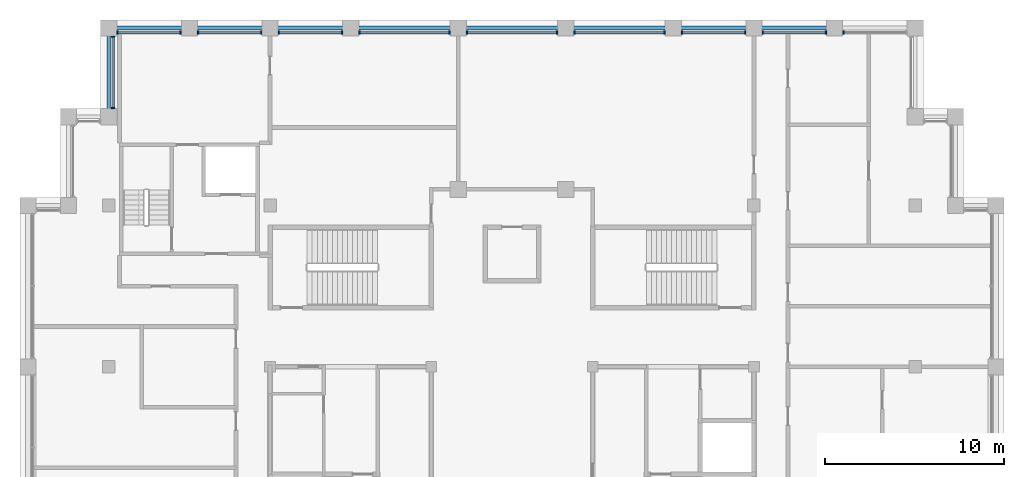
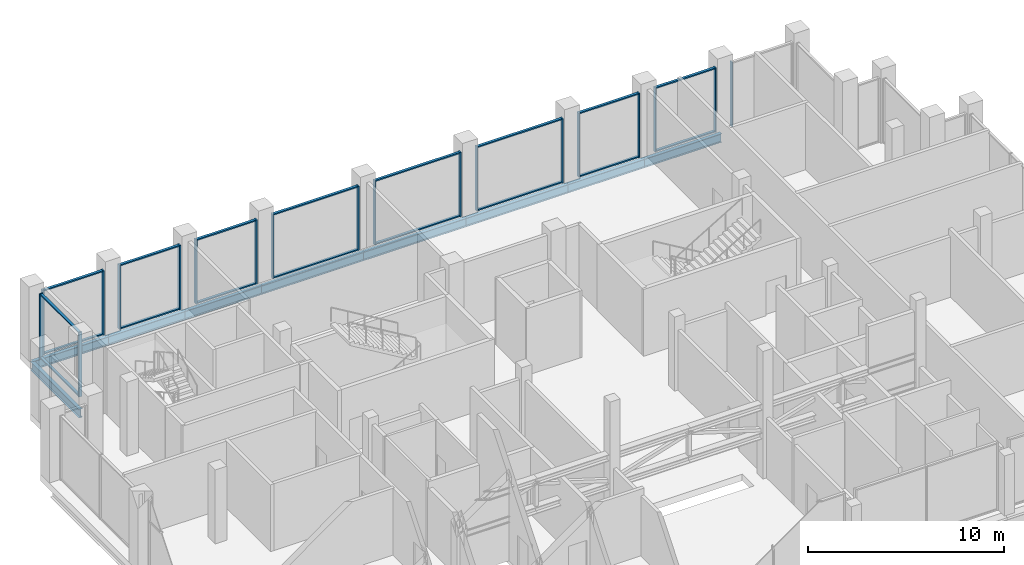
# One storey, part 7 of 14: 37 members, 9 beams, 10 elements without a shape of their own.
"""IFC4 building model written with IfcOpenShell, lengths in metres."""

from ifc_helpers import new_model, si_unit, direction, frame, origin, origin_2d, place, context, subcontext, project, spatial, rectangle, i_section, extrude, material, layer, layer_set, material_profile, profile_set, type_object, element, aggregate, save


model = new_model("IFC4")

# Units and contexts
model_context = context("Model", 3, precision=1e-05, world=origin(), true_north=direction((0.0, 1.0)))
body_context = subcontext(model_context, "Body", "Model", "MODEL_VIEW")
ifc_project = project(units=[si_unit("LENGTHUNIT", "METRE"), si_unit("AREAUNIT", "SQUARE_METRE"), si_unit("VOLUMEUNIT", "CUBIC_METRE"), si_unit("PLANEANGLEUNIT", "RADIAN"), si_unit("MASSUNIT", "GRAM", prefix="KILO")], contexts=[model_context])

# Site, building, storey
site_placement = place(None, origin())
site = spatial("IfcSite", under=ifc_project, at=site_placement, CompositionType="ELEMENT")
building_placement = place(site_placement, origin())
building = spatial("IfcBuilding", under=site, at=building_placement, Name="Corbelhall Arena Tower", CompositionType="ELEMENT")
storey_placement = place(building_placement, frame((0.0, 0.0, 376.0)))
storey = spatial("IfcBuildingStorey", under=building, at=storey_placement, Name="L81", CompositionType="ELEMENT", Elevation=376.0)

# Curtain wall, member
ifc_material_1 = material(Name="Aluminium black anodised", Category="aluminium")
ifc_layer = layer(ifc_material_1, 0.179931640625)
ifc_layer_set = layer_set([ifc_layer], Name="EV-CW3 Crown glazing")
curtain_wall_type = type_object("IfcCurtainWallType", Name="EV-CW3 Crown glazing", PredefinedType="NOTDEFINED", material=ifc_layer_set)
curtain_wall_1_placement = place(storey_placement, origin())
curtain_wall_1 = element("IfcCurtainWall", 1, at=curtain_wall_1_placement, inside=storey, type_object=curtain_wall_type, Name="Curtain wall CW3A", PredefinedType="NOTDEFINED")
ifc_material_profile_1 = material_profile(ifc_material_1, rectangle(XDim=0.199951171875, YDim=0.074951171875, at=origin_2d()))
ifc_profile_set_1 = profile_set([ifc_material_profile_1], Name="Aluminium black anodised")
member_type_1 = type_object("IfcMemberType", Name="EV-CW3-MULLION", PredefinedType="MULLION", material=ifc_profile_set_1)
member_1_placement = place(storey_placement, frame((18.487548828125, 27.64990234375, 0.0), z_axis=(0.0, 0.0, 1.0), x_axis=(0.0, -1.0, 0.0)))
member_1 = element("IfcMember", 2, at=member_1_placement, type_object=member_type_1, Name="CW3A mullion 2", PredefinedType="MULLION", context=body_context, shape_type="SweptSolid", body=[
    extrude(rectangle(XDim=0.199951171875, YDim=0.074951171875, at=origin_2d()), origin(), (0.0, 0.0, 1.0), 3.99951171875),
])
aggregate(curtain_wall_1, [member_1])

# Curtain wall, members
curtain_wall_2_placement = place(storey_placement, origin())
curtain_wall_2 = element("IfcCurtainWall", 3, at=curtain_wall_2_placement, inside=storey, type_object=curtain_wall_type, Name="Curtain wall CW3A", PredefinedType="NOTDEFINED")
member_2_placement = place(storey_placement, frame((17.512451171875, 27.64990234375, 0.0), z_axis=(0.0, 0.0, 1.0), x_axis=(0.0, -1.0, 0.0)))
member_2 = element("IfcMember", 4, at=member_2_placement, type_object=member_type_1, Name="CW3A mullion 1", PredefinedType="MULLION", context=body_context, shape_type="SweptSolid", body=[
    extrude(rectangle(XDim=0.199951171875, YDim=0.074951171875, at=origin_2d()), origin(), (0.0, 0.0, 1.0), 3.99951171875),
])
member_3_placement = place(storey_placement, frame((13.987548828125, 27.64990234375, 0.0), z_axis=(0.0, 0.0, 1.0), x_axis=(0.0, -1.0, 0.0)))
member_3 = element("IfcMember", 5, at=member_3_placement, type_object=member_type_1, Name="CW3A mullion 2", PredefinedType="MULLION", context=body_context, shape_type="SweptSolid", body=[
    extrude(rectangle(XDim=0.199951171875, YDim=0.074951171875, at=origin_2d()), origin(), (0.0, 0.0, 1.0), 3.99951171875),
])

curtain_wall_3_placement = place(storey_placement, origin())
curtain_wall_3 = element("IfcCurtainWall", 6, at=curtain_wall_3_placement, inside=storey, type_object=curtain_wall_type, Name="Curtain wall CW3A", PredefinedType="NOTDEFINED")
member_4_placement = place(storey_placement, frame((13.012451171875, 27.64990234375, 0.0), z_axis=(0.0, 0.0, 1.0), x_axis=(0.0, -1.0, 0.0)))
member_4 = element("IfcMember", 7, at=member_4_placement, type_object=member_type_1, Name="CW3A mullion 1", PredefinedType="MULLION", context=body_context, shape_type="SweptSolid", body=[
    extrude(rectangle(XDim=0.199951171875, YDim=0.074951171875, at=origin_2d()), origin(), (0.0, 0.0, 1.0), 3.99951171875),
])
member_5_placement = place(storey_placement, frame((9.487548828125, 27.64990234375, 0.0), z_axis=(0.0, 0.0, 1.0), x_axis=(0.0, -1.0, 0.0)))
member_5 = element("IfcMember", 8, at=member_5_placement, type_object=member_type_1, Name="CW3A mullion 2", PredefinedType="MULLION", context=body_context, shape_type="SweptSolid", body=[
    extrude(rectangle(XDim=0.199951171875, YDim=0.074951171875, at=origin_2d()), origin(), (0.0, 0.0, 1.0), 3.99951171875),
])

curtain_wall_4_placement = place(storey_placement, origin())
curtain_wall_4 = element("IfcCurtainWall", 9, at=curtain_wall_4_placement, inside=storey, type_object=curtain_wall_type, Name="Curtain wall CW3C", PredefinedType="NOTDEFINED")
member_6_placement = place(storey_placement, frame((8.512451171875, 27.64990234375, 0.0), z_axis=(0.0, 0.0, 1.0), x_axis=(0.0, -1.0, 0.0)))
member_6 = element("IfcMember", 10, at=member_6_placement, type_object=member_type_1, Name="CW3C mullion 1", PredefinedType="MULLION", context=body_context, shape_type="SweptSolid", body=[
    extrude(rectangle(XDim=0.199951171875, YDim=0.074951171875, at=origin_2d()), origin(), (0.0, 0.0, 1.0), 3.99951171875),
])
member_7_placement = place(storey_placement, frame((3.487548828125, 27.64990234375, 0.0), z_axis=(0.0, 0.0, 1.0), x_axis=(0.0, -1.0, 0.0)))
member_7 = element("IfcMember", 11, at=member_7_placement, type_object=member_type_1, Name="CW3C mullion 2", PredefinedType="MULLION", context=body_context, shape_type="SweptSolid", body=[
    extrude(rectangle(XDim=0.199951171875, YDim=0.074951171875, at=origin_2d()), origin(), (0.0, 0.0, 1.0), 3.99951171875),
])

curtain_wall_5_placement = place(storey_placement, origin())
curtain_wall_5 = element("IfcCurtainWall", 12, at=curtain_wall_5_placement, inside=storey, type_object=curtain_wall_type, Name="Curtain wall CW3C", PredefinedType="NOTDEFINED")
member_8_placement = place(storey_placement, frame((2.512451171875, 27.64990234375, 0.0), z_axis=(0.0, 0.0, 1.0), x_axis=(0.0, -1.0, 0.0)))
member_8 = element("IfcMember", 13, at=member_8_placement, type_object=member_type_1, Name="CW3C mullion 1", PredefinedType="MULLION", context=body_context, shape_type="SweptSolid", body=[
    extrude(rectangle(XDim=0.199951171875, YDim=0.074951171875, at=origin_2d()), origin(), (0.0, 0.0, 1.0), 3.99951171875),
])
member_9_placement = place(storey_placement, frame((-2.512451171875, 27.64990234375, 0.0), z_axis=(0.0, 0.0, 1.0), x_axis=(0.0, -1.0, 0.0)))
member_9 = element("IfcMember", 14, at=member_9_placement, type_object=member_type_1, Name="CW3C mullion 2", PredefinedType="MULLION", context=body_context, shape_type="SweptSolid", body=[
    extrude(rectangle(XDim=0.199951171875, YDim=0.074951171875, at=origin_2d()), origin(), (0.0, 0.0, 1.0), 3.99951171875),
])

curtain_wall_6_placement = place(storey_placement, origin())
curtain_wall_6 = element("IfcCurtainWall", 15, at=curtain_wall_6_placement, inside=storey, type_object=curtain_wall_type, Name="Curtain wall CW3C", PredefinedType="NOTDEFINED")
member_10_placement = place(storey_placement, frame((-3.487548828125, 27.64990234375, 0.0), z_axis=(0.0, 0.0, 1.0), x_axis=(0.0, -1.0, 0.0)))
member_10 = element("IfcMember", 16, at=member_10_placement, type_object=member_type_1, Name="CW3C mullion 1", PredefinedType="MULLION", context=body_context, shape_type="SweptSolid", body=[
    extrude(rectangle(XDim=0.199951171875, YDim=0.074951171875, at=origin_2d()), origin(), (0.0, 0.0, 1.0), 3.99951171875),
])
member_11_placement = place(storey_placement, frame((-8.512451171875, 27.64990234375, 0.0), z_axis=(0.0, 0.0, 1.0), x_axis=(0.0, -1.0, 0.0)))
member_11 = element("IfcMember", 17, at=member_11_placement, type_object=member_type_1, Name="CW3C mullion 2", PredefinedType="MULLION", context=body_context, shape_type="SweptSolid", body=[
    extrude(rectangle(XDim=0.199951171875, YDim=0.074951171875, at=origin_2d()), origin(), (0.0, 0.0, 1.0), 3.99951171875),
])

curtain_wall_7_placement = place(storey_placement, origin())
curtain_wall_7 = element("IfcCurtainWall", 18, at=curtain_wall_7_placement, inside=storey, type_object=curtain_wall_type, Name="Curtain wall CW3A", PredefinedType="NOTDEFINED")
member_12_placement = place(storey_placement, frame((-9.487548828125, 27.64990234375, 0.0), z_axis=(0.0, 0.0, 1.0), x_axis=(0.0, -1.0, 0.0)))
member_12 = element("IfcMember", 19, at=member_12_placement, type_object=member_type_1, Name="CW3A mullion 1", PredefinedType="MULLION", context=body_context, shape_type="SweptSolid", body=[
    extrude(rectangle(XDim=0.199951171875, YDim=0.074951171875, at=origin_2d()), origin(), (0.0, 0.0, 1.0), 3.99951171875),
])
member_13_placement = place(storey_placement, frame((-13.012451171875, 27.64990234375, 0.0), z_axis=(0.0, 0.0, 1.0), x_axis=(0.0, -1.0, 0.0)))
member_13 = element("IfcMember", 20, at=member_13_placement, type_object=member_type_1, Name="CW3A mullion 2", PredefinedType="MULLION", context=body_context, shape_type="SweptSolid", body=[
    extrude(rectangle(XDim=0.199951171875, YDim=0.074951171875, at=origin_2d()), origin(), (0.0, 0.0, 1.0), 3.99951171875),
])

curtain_wall_8_placement = place(storey_placement, origin())
curtain_wall_8 = element("IfcCurtainWall", 21, at=curtain_wall_8_placement, inside=storey, type_object=curtain_wall_type, Name="Curtain wall CW3A", PredefinedType="NOTDEFINED")
member_14_placement = place(storey_placement, frame((-13.987548828125, 27.64990234375, 0.0), z_axis=(0.0, 0.0, 1.0), x_axis=(0.0, -1.0, 0.0)))
member_14 = element("IfcMember", 22, at=member_14_placement, type_object=member_type_1, Name="CW3A mullion 1", PredefinedType="MULLION", context=body_context, shape_type="SweptSolid", body=[
    extrude(rectangle(XDim=0.199951171875, YDim=0.074951171875, at=origin_2d()), origin(), (0.0, 0.0, 1.0), 3.99951171875),
])
member_15_placement = place(storey_placement, frame((-17.512451171875, 27.64990234375, 0.0), z_axis=(0.0, 0.0, 1.0), x_axis=(0.0, -1.0, 0.0)))
member_15 = element("IfcMember", 23, at=member_15_placement, type_object=member_type_1, Name="CW3A mullion 2", PredefinedType="MULLION", context=body_context, shape_type="SweptSolid", body=[
    extrude(rectangle(XDim=0.199951171875, YDim=0.074951171875, at=origin_2d()), origin(), (0.0, 0.0, 1.0), 3.99951171875),
])

curtain_wall_9_placement = place(storey_placement, origin())
curtain_wall_9 = element("IfcCurtainWall", 24, at=curtain_wall_9_placement, inside=storey, type_object=curtain_wall_type, Name="Curtain wall CW3A", PredefinedType="NOTDEFINED")
member_16_placement = place(storey_placement, frame((-18.487548828125, 27.64990234375, 0.0), z_axis=(0.0, 0.0, 1.0), x_axis=(0.0, -1.0, 0.0)))
member_16 = element("IfcMember", 25, at=member_16_placement, type_object=member_type_1, Name="CW3A mullion 1", PredefinedType="MULLION", context=body_context, shape_type="SweptSolid", body=[
    extrude(rectangle(XDim=0.199951171875, YDim=0.074951171875, at=origin_2d()), origin(), (0.0, 0.0, 1.0), 3.99951171875),
])
member_17_placement = place(storey_placement, frame((-22.012451171875, 27.64990234375, 0.0), z_axis=(0.0, 0.0, 1.0), x_axis=(0.0, -1.0, 0.0)))
member_17 = element("IfcMember", 26, at=member_17_placement, type_object=member_type_1, Name="CW3A mullion 2", PredefinedType="MULLION", context=body_context, shape_type="SweptSolid", body=[
    extrude(rectangle(XDim=0.199951171875, YDim=0.074951171875, at=origin_2d()), origin(), (0.0, 0.0, 1.0), 3.99951171875),
])

curtain_wall_10_placement = place(storey_placement, origin())
curtain_wall_10 = element("IfcCurtainWall", 27, at=curtain_wall_10_placement, inside=storey, type_object=curtain_wall_type, Name="Curtain wall CW3", PredefinedType="NOTDEFINED")
member_18_placement = place(storey_placement, frame((-22.25, 27.41259765625, 0.0), z_axis=(0.0, 0.0, 1.0), x_axis=(1.0, 0.0, 0.0)))
member_18 = element("IfcMember", 28, at=member_18_placement, type_object=member_type_1, Name="CW3 mullion 1", PredefinedType="MULLION", context=body_context, shape_type="SweptSolid", body=[
    extrude(rectangle(XDim=0.199951171875, YDim=0.074951171875, at=origin_2d()), origin(), (0.0, 0.0, 1.0), 3.99951171875),
])
member_19_placement = place(storey_placement, frame((-22.25, 23.4375, 0.0), z_axis=(0.0, 0.0, 1.0), x_axis=(1.0, 0.0, 0.0)))
member_19 = element("IfcMember", 29, at=member_19_placement, type_object=member_type_1, Name="CW3 mullion 2", PredefinedType="MULLION", context=body_context, shape_type="SweptSolid", body=[
    extrude(rectangle(XDim=0.199951171875, YDim=0.074951171875, at=origin_2d()), origin(), (0.0, 0.0, 1.0), 3.99951171875),
])

# Member
ifc_material_profile_2 = material_profile(ifc_material_1, rectangle(XDim=0.14990234375, YDim=0.074951171875, at=origin_2d()))
ifc_profile_set_2 = profile_set([ifc_material_profile_2], Name="Aluminium black anodised")
member_type_2 = type_object("IfcMemberType", Name="EV-CW3-TRANSOM", PredefinedType="USERDEFINED", material=ifc_profile_set_2)
member_20_placement = place(storey_placement, frame((17.47509765625, 27.64990234375, 0.03759765625), z_axis=(-1.0, 0.0, 0.0), x_axis=(0.0, -1.0, 0.0)))
member_20 = element("IfcMember", 30, at=member_20_placement, type_object=member_type_2, Name="CW3A transom 1.1", ObjectType="transom", PredefinedType="USERDEFINED", context=body_context, shape_type="SweptSolid", body=[
    extrude(rectangle(XDim=0.14990234375, YDim=0.074951171875, at=origin_2d()), origin(), (0.0, 0.0, 1.0), 3.4501953125),
])

member_21_placement = place(storey_placement, frame((17.47509765625, 27.64990234375, 3.962158203125), z_axis=(-1.0, 0.0, 0.0), x_axis=(0.0, -1.0, 0.0)))
member_21 = element("IfcMember", 31, at=member_21_placement, type_object=member_type_2, Name="CW3A transom 1.2", ObjectType="transom", PredefinedType="USERDEFINED", context=body_context, shape_type="SweptSolid", body=[
    extrude(rectangle(XDim=0.14990234375, YDim=0.074951171875, at=origin_2d()), origin(), (0.0, 0.0, 1.0), 3.4501953125),
])

aggregate(curtain_wall_2, [member_2, member_3, member_20, member_21])

member_22_placement = place(storey_placement, frame((12.97509765625, 27.64990234375, 0.03759765625), z_axis=(-1.0, 0.0, 0.0), x_axis=(0.0, -1.0, 0.0)))
member_22 = element("IfcMember", 32, at=member_22_placement, type_object=member_type_2, Name="CW3A transom 1.1", ObjectType="transom", PredefinedType="USERDEFINED", context=body_context, shape_type="SweptSolid", body=[
    extrude(rectangle(XDim=0.14990234375, YDim=0.074951171875, at=origin_2d()), origin(), (0.0, 0.0, 1.0), 3.4501953125),
])

member_23_placement = place(storey_placement, frame((12.97509765625, 27.64990234375, 3.962158203125), z_axis=(-1.0, 0.0, 0.0), x_axis=(0.0, -1.0, 0.0)))
member_23 = element("IfcMember", 33, at=member_23_placement, type_object=member_type_2, Name="CW3A transom 1.2", ObjectType="transom", PredefinedType="USERDEFINED", context=body_context, shape_type="SweptSolid", body=[
    extrude(rectangle(XDim=0.14990234375, YDim=0.074951171875, at=origin_2d()), origin(), (0.0, 0.0, 1.0), 3.4501953125),
])

aggregate(curtain_wall_3, [member_4, member_5, member_22, member_23])

member_24_placement = place(storey_placement, frame((8.47509765625, 27.64990234375, 0.03759765625), z_axis=(-1.0, 0.0, 0.0), x_axis=(0.0, -1.0, 0.0)))
member_24 = element("IfcMember", 34, at=member_24_placement, type_object=member_type_2, Name="CW3C transom 1.1", ObjectType="transom", PredefinedType="USERDEFINED", context=body_context, shape_type="SweptSolid", body=[
    extrude(rectangle(XDim=0.14990234375, YDim=0.074951171875, at=origin_2d()), origin(), (0.0, 0.0, 1.0), 4.9501953125),
])

member_25_placement = place(storey_placement, frame((8.47509765625, 27.64990234375, 3.962158203125), z_axis=(-1.0, 0.0, 0.0), x_axis=(0.0, -1.0, 0.0)))
member_25 = element("IfcMember", 35, at=member_25_placement, type_object=member_type_2, Name="CW3C transom 1.2", ObjectType="transom", PredefinedType="USERDEFINED", context=body_context, shape_type="SweptSolid", body=[
    extrude(rectangle(XDim=0.14990234375, YDim=0.074951171875, at=origin_2d()), origin(), (0.0, 0.0, 1.0), 4.9501953125),
])

aggregate(curtain_wall_4, [member_6, member_7, member_24, member_25])

member_26_placement = place(storey_placement, frame((2.47509765625, 27.64990234375, 0.03759765625), z_axis=(-1.0, 0.0, 0.0), x_axis=(0.0, -1.0, 0.0)))
member_26 = element("IfcMember", 36, at=member_26_placement, type_object=member_type_2, Name="CW3C transom 1.1", ObjectType="transom", PredefinedType="USERDEFINED", context=body_context, shape_type="SweptSolid", body=[
    extrude(rectangle(XDim=0.14990234375, YDim=0.074951171875, at=origin_2d()), origin(), (0.0, 0.0, 1.0), 4.9501953125),
])

member_27_placement = place(storey_placement, frame((2.47509765625, 27.64990234375, 3.962158203125), z_axis=(-1.0, 0.0, 0.0), x_axis=(0.0, -1.0, 0.0)))
member_27 = element("IfcMember", 37, at=member_27_placement, type_object=member_type_2, Name="CW3C transom 1.2", ObjectType="transom", PredefinedType="USERDEFINED", context=body_context, shape_type="SweptSolid", body=[
    extrude(rectangle(XDim=0.14990234375, YDim=0.074951171875, at=origin_2d()), origin(), (0.0, 0.0, 1.0), 4.9501953125),
])

aggregate(curtain_wall_5, [member_8, member_9, member_26, member_27])

member_28_placement = place(storey_placement, frame((-3.52490234375, 27.64990234375, 0.03759765625), z_axis=(-1.0, 0.0, 0.0), x_axis=(0.0, -1.0, 0.0)))
member_28 = element("IfcMember", 38, at=member_28_placement, type_object=member_type_2, Name="CW3C transom 1.1", ObjectType="transom", PredefinedType="USERDEFINED", context=body_context, shape_type="SweptSolid", body=[
    extrude(rectangle(XDim=0.14990234375, YDim=0.074951171875, at=origin_2d()), origin(), (0.0, 0.0, 1.0), 4.9501953125),
])

member_29_placement = place(storey_placement, frame((-3.52490234375, 27.64990234375, 3.962158203125), z_axis=(-1.0, 0.0, 0.0), x_axis=(0.0, -1.0, 0.0)))
member_29 = element("IfcMember", 39, at=member_29_placement, type_object=member_type_2, Name="CW3C transom 1.2", ObjectType="transom", PredefinedType="USERDEFINED", context=body_context, shape_type="SweptSolid", body=[
    extrude(rectangle(XDim=0.14990234375, YDim=0.074951171875, at=origin_2d()), origin(), (0.0, 0.0, 1.0), 4.9501953125),
])

aggregate(curtain_wall_6, [member_10, member_11, member_28, member_29])

member_30_placement = place(storey_placement, frame((-9.52490234375, 27.64990234375, 0.03759765625), z_axis=(-1.0, 0.0, 0.0), x_axis=(0.0, -1.0, 0.0)))
member_30 = element("IfcMember", 40, at=member_30_placement, type_object=member_type_2, Name="CW3A transom 1.1", ObjectType="transom", PredefinedType="USERDEFINED", context=body_context, shape_type="SweptSolid", body=[
    extrude(rectangle(XDim=0.14990234375, YDim=0.074951171875, at=origin_2d()), origin(), (0.0, 0.0, 1.0), 3.4501953125),
])

member_31_placement = place(storey_placement, frame((-9.52490234375, 27.64990234375, 3.962158203125), z_axis=(-1.0, 0.0, 0.0), x_axis=(0.0, -1.0, 0.0)))
member_31 = element("IfcMember", 41, at=member_31_placement, type_object=member_type_2, Name="CW3A transom 1.2", ObjectType="transom", PredefinedType="USERDEFINED", context=body_context, shape_type="SweptSolid", body=[
    extrude(rectangle(XDim=0.14990234375, YDim=0.074951171875, at=origin_2d()), origin(), (0.0, 0.0, 1.0), 3.4501953125),
])

aggregate(curtain_wall_7, [member_12, member_13, member_30, member_31])

member_32_placement = place(storey_placement, frame((-14.02490234375, 27.64990234375, 0.03759765625), z_axis=(-1.0, 0.0, 0.0), x_axis=(0.0, -1.0, 0.0)))
member_32 = element("IfcMember", 42, at=member_32_placement, type_object=member_type_2, Name="CW3A transom 1.1", ObjectType="transom", PredefinedType="USERDEFINED", context=body_context, shape_type="SweptSolid", body=[
    extrude(rectangle(XDim=0.14990234375, YDim=0.074951171875, at=origin_2d()), origin(), (0.0, 0.0, 1.0), 3.4501953125),
])

member_33_placement = place(storey_placement, frame((-14.02490234375, 27.64990234375, 3.962158203125), z_axis=(-1.0, 0.0, 0.0), x_axis=(0.0, -1.0, 0.0)))
member_33 = element("IfcMember", 43, at=member_33_placement, type_object=member_type_2, Name="CW3A transom 1.2", ObjectType="transom", PredefinedType="USERDEFINED", context=body_context, shape_type="SweptSolid", body=[
    extrude(rectangle(XDim=0.14990234375, YDim=0.074951171875, at=origin_2d()), origin(), (0.0, 0.0, 1.0), 3.4501953125),
])

aggregate(curtain_wall_8, [member_14, member_15, member_32, member_33])

member_34_placement = place(storey_placement, frame((-18.52490234375, 27.64990234375, 0.03759765625), z_axis=(-1.0, 0.0, 0.0), x_axis=(0.0, -1.0, 0.0)))
member_34 = element("IfcMember", 44, at=member_34_placement, type_object=member_type_2, Name="CW3A transom 1.1", ObjectType="transom", PredefinedType="USERDEFINED", context=body_context, shape_type="SweptSolid", body=[
    extrude(rectangle(XDim=0.14990234375, YDim=0.074951171875, at=origin_2d()), origin(), (0.0, 0.0, 1.0), 3.4501953125),
])

member_35_placement = place(storey_placement, frame((-18.52490234375, 27.64990234375, 3.962158203125), z_axis=(-1.0, 0.0, 0.0), x_axis=(0.0, -1.0, 0.0)))
member_35 = element("IfcMember", 45, at=member_35_placement, type_object=member_type_2, Name="CW3A transom 1.2", ObjectType="transom", PredefinedType="USERDEFINED", context=body_context, shape_type="SweptSolid", body=[
    extrude(rectangle(XDim=0.14990234375, YDim=0.074951171875, at=origin_2d()), origin(), (0.0, 0.0, 1.0), 3.4501953125),
])

aggregate(curtain_wall_9, [member_16, member_17, member_34, member_35])

member_36_placement = place(storey_placement, frame((-22.25, 27.375, 0.03759765625), z_axis=(0.0, -1.0, 0.0), x_axis=(1.0, 0.0, 0.0)))
member_36 = element("IfcMember", 46, at=member_36_placement, type_object=member_type_2, Name="CW3 transom 1.1", ObjectType="transom", PredefinedType="USERDEFINED", context=body_context, shape_type="SweptSolid", body=[
    extrude(rectangle(XDim=0.14990234375, YDim=0.074951171875, at=origin_2d()), origin(), (0.0, 0.0, 1.0), 3.89990234375),
])

member_37_placement = place(storey_placement, frame((-22.25, 27.375, 3.962158203125), z_axis=(0.0, -1.0, 0.0), x_axis=(1.0, 0.0, 0.0)))
member_37 = element("IfcMember", 47, at=member_37_placement, type_object=member_type_2, Name="CW3 transom 1.2", ObjectType="transom", PredefinedType="USERDEFINED", context=body_context, shape_type="SweptSolid", body=[
    extrude(rectangle(XDim=0.14990234375, YDim=0.074951171875, at=origin_2d()), origin(), (0.0, 0.0, 1.0), 3.89990234375),
])

aggregate(curtain_wall_10, [member_18, member_19, member_36, member_37])

# Beams
ifc_material_2 = material(Name="Steel ASTM A992 Gr50", Category="steel")
ifc_material_profile_3 = material_profile(ifc_material_2, i_section(OverallWidth=0.2099609375, OverallDepth=0.535888671875, WebThickness=0.010986328125, FlangeThickness=0.017333984375, at=origin_2d()))
ifc_profile_set_3 = profile_set([ifc_material_profile_3], Name="Steel ASTM A992 Gr50")
beam_type = type_object("IfcBeamType", Name="ST-SPANDREL-W21x68", PredefinedType="SPANDREL", material=ifc_profile_set_3)
beam_1_placement = place(storey_placement, frame((3.0, 27.89990234375, -0.66845703125), z_axis=(1.0, 0.0, 0.0), x_axis=(0.0, 1.0, 0.0)))
element("IfcBeam", 48, at=beam_1_placement, inside=storey, type_object=beam_type, Name="Beam SP 11", PredefinedType="SPANDREL", context=body_context, shape_type="SweptSolid", body=[
    extrude(i_section(OverallWidth=0.2099609375, OverallDepth=0.535888671875, WebThickness=0.010986328125, FlangeThickness=0.017333984375, at=origin_2d()), origin(), (0.0, 0.0, 1.0), 6.0),
])
for number, where, z_axis, x_axis, name in (
    (49, (9.0, 27.89990234375, -0.66845703125), (1.0, 0.0, 0.0), (0.0, 1.0, 0.0), "Beam SP 12"),
    (50, (13.5, 27.89990234375, -0.66845703125), (1.0, 0.0, 0.0), (0.0, 1.0, 0.0), "Beam SP 13"),
):
    element("IfcBeam", number, at=place(storey_placement, frame(where, z_axis=z_axis, x_axis=x_axis)), inside=storey, type_object=beam_type, Name=name, PredefinedType="SPANDREL", context=body_context, shape_type="SweptSolid", body=[
        extrude(i_section(OverallWidth=0.2099609375, OverallDepth=0.535888671875, WebThickness=0.010986328125, FlangeThickness=0.017333984375, at=origin_2d()), origin(), (0.0, 0.0, 1.0), 4.5),
    ])
for number, where, z_axis, x_axis, name in (
    (51, (-3.0, 27.89990234375, -0.66845703125), (1.0, 0.0, 0.0), (0.0, 1.0, 0.0), "Beam SP 16"),
    (52, (-9.0, 27.89990234375, -0.66845703125), (1.0, 0.0, 0.0), (0.0, 1.0, 0.0), "Beam SP 17"),
):
    element("IfcBeam", number, at=place(storey_placement, frame(where, z_axis=z_axis, x_axis=x_axis)), inside=storey, type_object=beam_type, Name=name, PredefinedType="SPANDREL", context=body_context, shape_type="SweptSolid", body=[
        extrude(i_section(OverallWidth=0.2099609375, OverallDepth=0.535888671875, WebThickness=0.010986328125, FlangeThickness=0.017333984375, at=origin_2d()), origin(), (0.0, 0.0, 1.0), 6.0),
    ])
for number, where, z_axis, x_axis, name in (
    (53, (-13.5, 27.89990234375, -0.66845703125), (1.0, 0.0, 0.0), (0.0, 1.0, 0.0), "Beam SP 18"),
    (54, (-18.0, 27.89990234375, -0.66845703125), (1.0, 0.0, 0.0), (0.0, 1.0, 0.0), "Beam SP 19"),
    (55, (-22.5, 27.89990234375, -0.66845703125), (1.0, 0.0, 0.0), (0.0, 1.0, 0.0), "Beam SP 20"),
):
    element("IfcBeam", number, at=place(storey_placement, frame(where, z_axis=z_axis, x_axis=x_axis)), inside=storey, type_object=beam_type, Name=name, PredefinedType="SPANDREL", context=body_context, shape_type="SweptSolid", body=[
        extrude(i_section(OverallWidth=0.2099609375, OverallDepth=0.535888671875, WebThickness=0.010986328125, FlangeThickness=0.017333984375, at=origin_2d()), origin(), (0.0, 0.0, 1.0), 4.5),
    ])
beam_2_placement = place(storey_placement, frame((-22.5, 22.949951171875, -0.66845703125), z_axis=(0.0, 1.0, 0.0), x_axis=(-1.0, 0.0, 0.0)))
element("IfcBeam", 56, at=beam_2_placement, inside=storey, type_object=beam_type, Name="Beam SP 28", PredefinedType="SPANDREL", context=body_context, shape_type="SweptSolid", body=[
    extrude(i_section(OverallWidth=0.2099609375, OverallDepth=0.535888671875, WebThickness=0.010986328125, FlangeThickness=0.017333984375, at=origin_2d()), origin(), (0.0, 0.0, 1.0), 4.949951171875),
])

save(model, "model.ifc")
